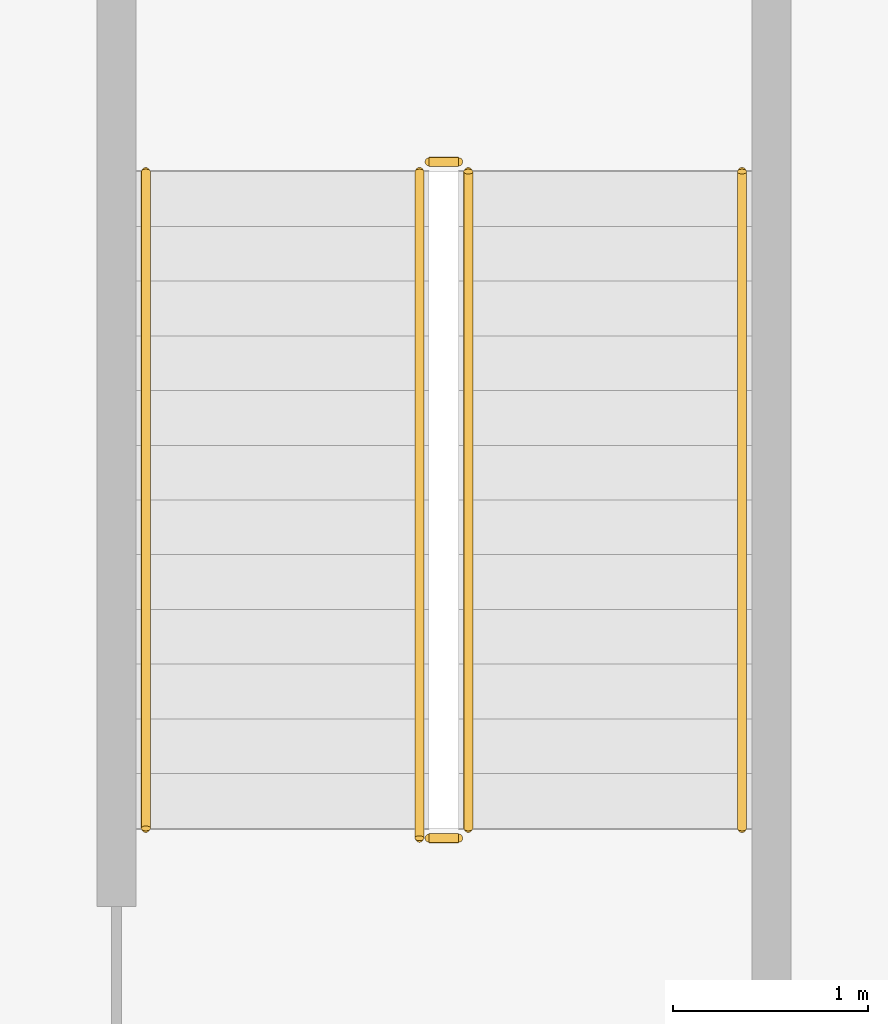
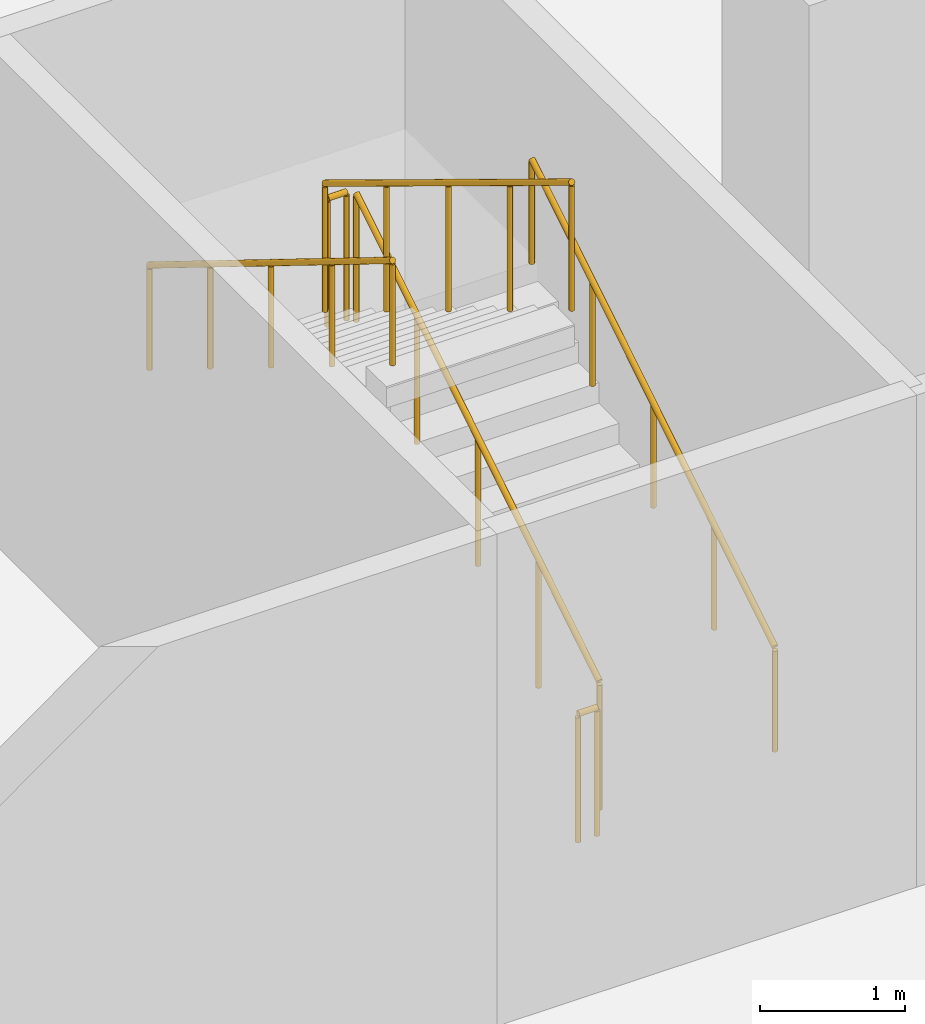
# One storey, part 43 of 43: 6 railings.
"""IFC4 building model written with IfcOpenShell, lengths in metres."""

from ifc_helpers import new_model, si_unit, direction, frame, origin, origin_2d, place, context, subcontext, project, spatial, circle, extrude, material, type_object, element, save


model = new_model("IFC4")

# Units and contexts
model_context = context("Model", 3, precision=1e-05, world=origin(), true_north=direction((0.0, 1.0)))
body_context = subcontext(model_context, "Body", "Model", "MODEL_VIEW")
ifc_project = project(units=[si_unit("LENGTHUNIT", "METRE"), si_unit("AREAUNIT", "SQUARE_METRE"), si_unit("VOLUMEUNIT", "CUBIC_METRE"), si_unit("PLANEANGLEUNIT", "RADIAN"), si_unit("MASSUNIT", "GRAM", prefix="KILO")], contexts=[model_context])

# Site, building, storey
site_placement = place(None, origin())
site = spatial("IfcSite", under=ifc_project, at=site_placement, CompositionType="ELEMENT")
building_placement = place(site_placement, origin())
building = spatial("IfcBuilding", under=site, at=building_placement, Name="Plateau Cross Towers", CompositionType="ELEMENT")
storey_placement = place(building_placement, frame((0.0, 0.0, 17.300048828125)))
storey = spatial("IfcBuildingStorey", under=building, at=storey_placement, Name="L03", CompositionType="ELEMENT", Elevation=17.300048828125)

# Railings
ifc_material_1 = material(Name="Stainless steel and toughened glass", Category="steel")
railing_type_1 = type_object("IfcRailingType", Name="RL-GUARD-1100", PredefinedType="GUARDRAIL", material=ifc_material_1)
railing_1_placement = place(storey_placement, frame((68.39990234375, 42.10009765625, 0.173095703125)))
element("IfcRailing", 1, at=railing_1_placement, inside=storey, type_object=railing_type_1, Name="L03 PS3 stair guard 1", PredefinedType="GUARDRAIL", context=body_context, shape_type="SweptSolid", body=[
    extrude(circle(Radius=0.02392578125, at=origin_2d()), frame((0.0, 0.0, 1.076171875), z_axis=(0.0, 0.850606129759, 0.525803396734), x_axis=(-1.0, 0.0, 0.0)), (0.0, 0.0, 1.0), 3.949951171875),
    extrude(circle(Radius=0.02099609375, at=origin_2d()), origin(), (0.0, 0.0, 1.0), 1.052001953125),
    extrude(circle(Radius=0.02099609375, at=origin_2d()), frame((0.0, 0.83984375, 0.519287109375)), (0.0, 0.0, 1.0), 1.052001953125),
    extrude(circle(Radius=0.02099609375, at=origin_2d()), frame((0.0, 1.679931640625, 1.03857421875)), (0.0, 0.0, 1.0), 1.052001953125),
    extrude(circle(Radius=0.02099609375, at=origin_2d()), frame((0.0, 2.52001953125, 1.5576171875)), (0.0, 0.0, 1.0), 1.052001953125),
    extrude(circle(Radius=0.02099609375, at=origin_2d()), frame((0.0, 3.35986328125, 2.076904296875)), (0.0, 0.0, 1.0), 1.052001953125),
])
railing_2_placement = place(storey_placement, frame((68.35009765625, 45.510009765625, 2.25)))
element("IfcRailing", 2, at=railing_2_placement, inside=storey, type_object=railing_type_1, Name="L03 PS3 stair guard 2", PredefinedType="GUARDRAIL", context=body_context, shape_type="SweptSolid", body=[
    extrude(circle(Radius=0.02392578125, at=origin_2d()), frame((0.0, 0.0, 1.076171875), z_axis=(-1.0, 0.0, 0.0), x_axis=(0.0, -1.0, 0.0)), (0.0, 0.0, 1.0), 0.150146484375),
    extrude(circle(Radius=0.02099609375, at=origin_2d()), origin(), (0.0, 0.0, 1.0), 1.052001953125),
    extrude(circle(Radius=0.02099609375, at=origin_2d()), frame((-0.150146484375, 0.0, 0.0)), (0.0, 0.0, 1.0), 1.052001953125),
])
railing_3_placement = place(storey_placement, frame((68.14990234375, 45.4599609375, 2.423095703125)))
element("IfcRailing", 3, at=railing_3_placement, inside=storey, type_object=railing_type_1, Name="L03 PS3 stair guard 3", PredefinedType="GUARDRAIL", context=body_context, shape_type="SweptSolid", body=[
    extrude(circle(Radius=0.02392578125, at=origin_2d()), frame((0.0, 0.0, 1.076171875), z_axis=(0.0, -0.854053285388, 0.520185530092), x_axis=(1.0, 0.0, 0.0)), (0.0, 0.0, 1.0), 3.99267578125),
    extrude(circle(Radius=0.02099609375, at=origin_2d()), origin(), (0.0, 0.0, 1.0), 1.052001953125),
    extrude(circle(Radius=0.02099609375, at=origin_2d()), frame((0.0, -0.8525390625, 0.519287109375)), (0.0, 0.0, 1.0), 1.052001953125),
    extrude(circle(Radius=0.02099609375, at=origin_2d()), frame((0.0, -1.705078125, 1.03857421875)), (0.0, 0.0, 1.0), 1.052001953125),
    extrude(circle(Radius=0.02099609375, at=origin_2d()), frame((0.0, -2.557373046875, 1.5576171875)), (0.0, 0.0, 1.0), 1.052001953125),
    extrude(circle(Radius=0.02099609375, at=origin_2d()), frame((0.0, -3.409912109375, 2.076904296875)), (0.0, 0.0, 1.0), 1.052001953125),
])
railing_4_placement = place(storey_placement, frame((68.35009765625, 42.050048828125, 0.0)))
element("IfcRailing", 4, at=railing_4_placement, inside=storey, type_object=railing_type_1, Name="L03 PS3 stair guard 4", PredefinedType="GUARDRAIL", context=body_context, shape_type="SweptSolid", body=[
    extrude(circle(Radius=0.02392578125, at=origin_2d()), frame((0.0, 0.0, 1.076171875), z_axis=(-1.0, 0.0, 0.0), x_axis=(0.0, -1.0, 0.0)), (0.0, 0.0, 1.0), 0.150146484375),
    extrude(circle(Radius=0.02099609375, at=origin_2d()), origin(), (0.0, 0.0, 1.0), 1.052001953125),
    extrude(circle(Radius=0.02099609375, at=origin_2d()), frame((-0.150146484375, 0.0, 0.0)), (0.0, 0.0, 1.0), 1.052001953125),
])
ifc_material_2 = material(Name="Black anodised aluminium", Category="aluminium")
railing_type_2 = type_object("IfcRailingType", Name="RL-HANDRAIL-900", PredefinedType="HANDRAIL", material=ifc_material_2)
railing_5_placement = place(storey_placement, frame((69.800048828125, 42.10009765625, 0.173095703125)))
element("IfcRailing", 5, at=railing_5_placement, inside=storey, type_object=railing_type_2, Name="L03 PS3 stair handrail 1", PredefinedType="HANDRAIL", context=body_context, shape_type="SweptSolid", body=[
    extrude(circle(Radius=0.02392578125, at=origin_2d()), frame((0.0, 0.0, 0.8759765625), z_axis=(0.0, 0.850606129759, 0.525803396734), x_axis=(-1.0, 0.0, 0.0)), (0.0, 0.0, 1.0), 3.949951171875),
    extrude(circle(Radius=0.02099609375, at=origin_2d()), origin(), (0.0, 0.0, 1.0), 0.851806640625),
    extrude(circle(Radius=0.02099609375, at=origin_2d()), frame((0.0, 0.83984375, 0.519287109375)), (0.0, 0.0, 1.0), 0.851806640625),
    extrude(circle(Radius=0.02099609375, at=origin_2d()), frame((0.0, 1.679931640625, 1.03857421875)), (0.0, 0.0, 1.0), 0.851806640625),
    extrude(circle(Radius=0.02099609375, at=origin_2d()), frame((0.0, 2.52001953125, 1.5576171875)), (0.0, 0.0, 1.0), 0.851806640625),
    extrude(circle(Radius=0.02099609375, at=origin_2d()), frame((0.0, 3.35986328125, 2.076904296875)), (0.0, 0.0, 1.0), 0.851806640625),
])
railing_6_placement = place(storey_placement, frame((66.75, 45.4599609375, 2.423095703125)))
element("IfcRailing", 6, at=railing_6_placement, inside=storey, type_object=railing_type_2, Name="L03 PS3 stair handrail 2", PredefinedType="HANDRAIL", context=body_context, shape_type="SweptSolid", body=[
    extrude(circle(Radius=0.02392578125, at=origin_2d()), frame((0.0, 0.0, 0.8759765625), z_axis=(0.0, -0.850606129759, 0.525803396734), x_axis=(1.0, 0.0, 0.0)), (0.0, 0.0, 1.0), 3.949951171875),
    extrude(circle(Radius=0.02099609375, at=origin_2d()), origin(), (0.0, 0.0, 1.0), 0.851806640625),
    extrude(circle(Radius=0.02099609375, at=origin_2d()), frame((0.0, -0.83984375, 0.519287109375)), (0.0, 0.0, 1.0), 0.851806640625),
    extrude(circle(Radius=0.02099609375, at=origin_2d()), frame((0.0, -1.679931640625, 1.03857421875)), (0.0, 0.0, 1.0), 0.851806640625),
    extrude(circle(Radius=0.02099609375, at=origin_2d()), frame((0.0, -2.52001953125, 1.5576171875)), (0.0, 0.0, 1.0), 0.851806640625),
    extrude(circle(Radius=0.02099609375, at=origin_2d()), frame((0.0, -3.35986328125, 2.076904296875)), (0.0, 0.0, 1.0), 0.851806640625),
])

save(model, "model.ifc")
